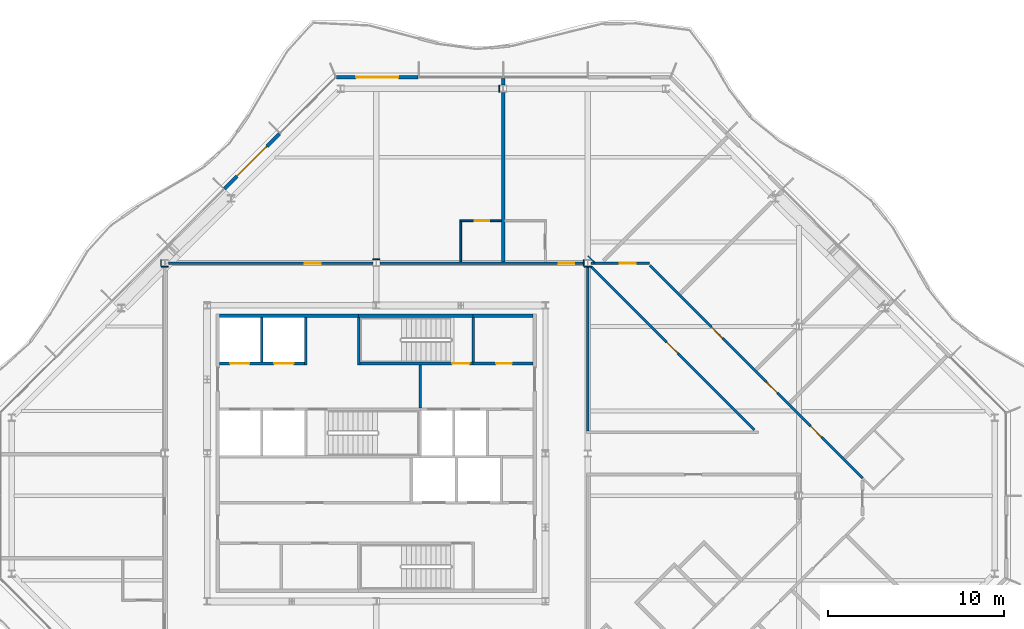
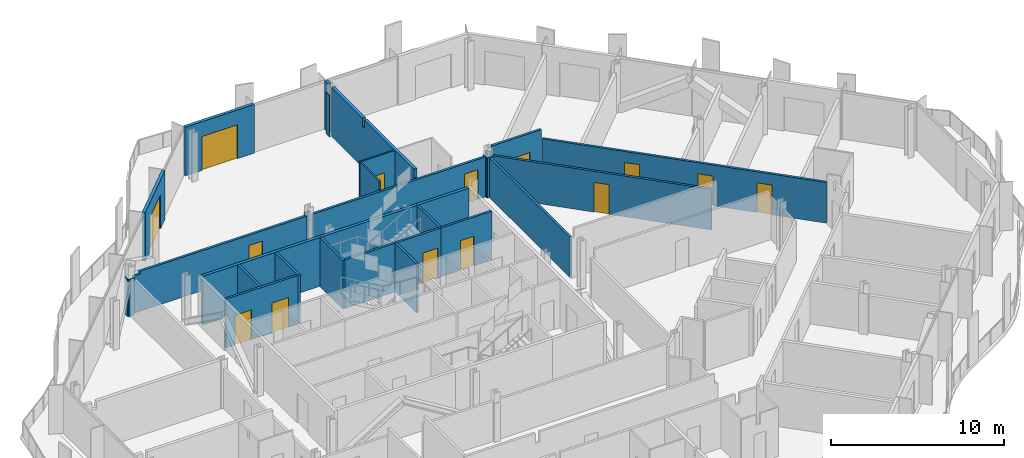
# One storey, part 11 of 17: 30 walls, 14 doors, 14 openings.
"""IFC4 building model written with IfcOpenShell, lengths in metres."""

from ifc_helpers import new_model, si_unit, direction, frame, frame_2d, origin, place, context, subcontext, project, spatial, polyline, rectangle, outline, extrude, material, layer, layer_set, type_object, element, fill, save


model = new_model("IFC4")

# Units and contexts
model_context = context("Model", 3, precision=1e-05, world=origin(), true_north=direction((0.0, 1.0)))
body_context = subcontext(model_context, "Body", "Model", "MODEL_VIEW")
ifc_project = project(units=[si_unit("LENGTHUNIT", "METRE"), si_unit("AREAUNIT", "SQUARE_METRE"), si_unit("VOLUMEUNIT", "CUBIC_METRE"), si_unit("PLANEANGLEUNIT", "RADIAN"), si_unit("MASSUNIT", "GRAM", prefix="KILO")], contexts=[model_context])

# Site, building, storey
site_placement = place(None, origin())
site = spatial("IfcSite", under=ifc_project, at=site_placement, CompositionType="ELEMENT")
building_placement = place(site_placement, origin())
building = spatial("IfcBuilding", under=site, at=building_placement, Name="Cairn Pilgrim Tower", CompositionType="ELEMENT")
storey_placement = place(building_placement, frame((0.0, 0.0, 246.60009765625)))
storey = spatial("IfcBuildingStorey", under=building, at=storey_placement, Name="L63", CompositionType="ELEMENT", Elevation=246.60009765625)

# Wall, opening, door
ifc_material_1 = material(Name="Bronze anodised aluminium insulated sandwich panel with mineral wool fill", Category="aluminium")
ifc_layer_1 = layer(ifc_material_1, 0.199951171875)
ifc_layer_set_1 = layer_set([ifc_layer_1], Name="BRONZE INFILL FRAME WALL 200")
wall_type_1 = type_object("IfcWallType", Name="BRONZE INFILL FRAME WALL 200", PredefinedType="NOTDEFINED", material=ifc_layer_set_1)
wall_1_placement = place(storey_placement, frame((9.570068359375, 23.75, 0.0), z_axis=(0.0, 0.0, 1.0), x_axis=(-1.0, 0.0, 0.0)))
wall_1 = element("IfcWall", 1, at=wall_1_placement, inside=storey, type_object=wall_type_1, Name="Bronze infill frame wall IW-N4", PredefinedType="NOTDEFINED", context=body_context, shape_type="SweptSolid", body=[
    extrude(rectangle(XDim=4.62646484375, YDim=0.199951171875, at=frame_2d((2.313232421875, 0.0))), origin(), (0.0, 0.0, 1.0), 3.449951171875),
])
opening_1_placement = place(wall_1_placement, frame((1.117919921875, 0.0, 0.0)))
opening_1 = element("IfcOpeningElement", 2, at=opening_1_placement, cuts=wall_1, Name="Opening 6312B", PredefinedType="OPENING", context=body_context, shape_type="SweptSolid", body=[
    extrude(rectangle(XDim=2.39990234375, YDim=2.39990234375, at=frame_2d((1.199951171875, 1.199951171875))), frame((0.0, 0.10986328125, 0.0), z_axis=(0.0, -1.0, 0.0), x_axis=(1.0, 0.0, 0.0)), (0.0, 0.0, 1.0), 0.219970703125),
])
ifc_material_2 = material(Name="Bronze anodised aluminium frame with tinted low-E glass", Category="aluminium")
door_type_1 = type_object("IfcDoorType", Name="BALCONY SLIDING DOOR 2400x2400", OperationType="DOUBLE_DOOR_SLIDING", PredefinedType="DOOR", material=ifc_material_2)
door_1_placement = place(opening_1_placement, origin())
door_1 = element("IfcDoor", 3, at=door_1_placement, inside=storey, type_object=door_type_1, Name="Balcony sliding door 6312B", OperationType="SINGLE_SWING_LEFT", OverallHeight=2.39990234375, OverallWidth=2.39990234375, PredefinedType="DOOR", context=body_context, shape_type="SweptSolid", body=[
    extrude(rectangle(XDim=2.39990234375, YDim=2.39990234375, at=frame_2d((1.199951171875, 1.199951171875))), frame((0.0, 0.02490234375, 0.0), z_axis=(0.0, -1.0, 0.0), x_axis=(1.0, 0.0, 0.0)), (0.0, 0.0, 1.0), 0.050048828125),
])
fill(opening_1, door_1)

wall_2_placement = place(storey_placement, frame((1.706787109375, 20.55322265625, 0.0), z_axis=(0.0, 0.0, 1.0), x_axis=(-0.707106781187, -0.707106781187, 0.0)))
wall_2 = element("IfcWall", 4, at=wall_2_placement, inside=storey, type_object=wall_type_1, Name="Bronze infill frame wall IW-NW2", PredefinedType="NOTDEFINED", context=body_context, shape_type="SweptSolid", body=[
    extrude(rectangle(XDim=4.43115234375, YDim=0.199951171875, at=frame_2d((2.215576171875, 0.0))), origin(), (0.0, 0.0, 1.0), 3.449951171875),
])
opening_2_placement = place(wall_2_placement, frame((1.015380859375, 0.0, 0.0)))
opening_2 = element("IfcOpeningElement", 5, at=opening_2_placement, cuts=wall_2, Name="Opening 6312B2", PredefinedType="OPENING", context=body_context, shape_type="SweptSolid", body=[
    extrude(rectangle(XDim=2.39990234375, YDim=2.39990234375, at=frame_2d((1.199951171875, 1.199951171875))), frame((0.0, 0.10986328125, 0.0), z_axis=(0.0, -1.0, 0.0), x_axis=(1.0, 0.0, 0.0)), (0.0, 0.0, 1.0), 0.219970703125),
])
door_2_placement = place(opening_2_placement, origin())
door_2 = element("IfcDoor", 6, at=door_2_placement, inside=storey, type_object=door_type_1, Name="Balcony sliding door 6312B2", OperationType="SINGLE_SWING_LEFT", OverallHeight=2.39990234375, OverallWidth=2.39990234375, PredefinedType="DOOR", context=body_context, shape_type="SweptSolid", body=[
    extrude(rectangle(XDim=2.39990234375, YDim=2.39990234375, at=frame_2d((1.199951171875, 1.199951171875))), frame((0.0, 0.02490234375, 0.0), z_axis=(0.0, -1.0, 0.0), x_axis=(1.0, 0.0, 0.0)), (0.0, 0.0, 1.0), 0.050048828125),
])
fill(opening_2, door_2)

# Walls
ifc_material_3 = material(Name="Concrete C32/40", Category="concrete")
ifc_layer_2 = layer(ifc_material_3, 0.199951171875)
ifc_layer_set_2 = layer_set([ifc_layer_2], Name="CORE OUTER WALL 200 EI 120")
wall_type_2 = type_object("IfcWallType", Name="CORE OUTER WALL 200 EI 120", PredefinedType="SOLIDWALL", material=ifc_layer_set_2)
wall_3_placement = place(storey_placement, frame((-1.699951171875, 10.199951171875, 0.0), z_axis=(0.0, 0.0, 1.0), x_axis=(1.0, 0.0, 0.0)))
element("IfcWall", 7, at=wall_3_placement, inside=storey, type_object=wall_type_2, Name="CW:L63:H12-1", PredefinedType="SOLIDWALL", context=body_context, shape_type="SweptSolid", body=[
    extrude(rectangle(XDim=7.89990234375, YDim=0.199951171875, at=frame_2d((3.949951171875, 0.0))), origin(), (0.0, 0.0, 1.0), 3.449951171875),
])
wall_4_placement = place(storey_placement, frame((12.699951171875, 10.199951171875, 0.0), z_axis=(0.0, 0.0, 1.0), x_axis=(1.0, 0.0, 0.0)))
element("IfcWall", 8, at=wall_4_placement, inside=storey, type_object=wall_type_2, Name="CW:L63:H12-3", PredefinedType="SOLIDWALL", context=body_context, shape_type="SweptSolid", body=[
    extrude(rectangle(XDim=3.400146484375, YDim=0.199951171875, at=frame_2d((1.7001953125, 0.0))), origin(), (0.0, 0.0, 1.0), 3.449951171875),
])

# Wall, openings, doors
ifc_layer_3 = layer(ifc_material_3, 0.14990234375)
ifc_layer_set_3 = layer_set([ifc_layer_3], Name="CORE SHAFT WALL 150 EI 120")
wall_type_3 = type_object("IfcWallType", Name="CORE SHAFT WALL 150 EI 120", PredefinedType="SOLIDWALL", material=ifc_layer_set_3)
wall_5_placement = place(storey_placement, frame((-1.699951171875, 7.5, 0.0), z_axis=(0.0, 0.0, 1.0), x_axis=(1.0, 0.0, 0.0)))
wall_5 = element("IfcWall", 9, at=wall_5_placement, inside=storey, type_object=wall_type_3, Name="CW:L63:H10", PredefinedType="SOLIDWALL", context=body_context, shape_type="SweptSolid", body=[
    extrude(rectangle(XDim=4.824951171875, YDim=0.14990234375, at=frame_2d((2.41259765625, 0.0))), origin(), (0.0, 0.0, 1.0), 3.449951171875),
])
opening_3_placement = place(wall_5_placement, frame((0.60009765625, 0.0, 0.0)))
opening_3 = element("IfcOpeningElement", 10, at=opening_3_placement, cuts=wall_5, Name="Opening LD-HR3", PredefinedType="OPENING", context=body_context, shape_type="SweptSolid", body=[
    extrude(rectangle(XDim=1.10009765625, YDim=2.10009765625, at=frame_2d((0.550048828125, 1.050048828125))), frame((0.0, 0.0849609375, 0.0), z_axis=(0.0, -1.0, 0.0), x_axis=(1.0, 0.0, 0.0)), (0.0, 0.0, 1.0), 0.169921875),
])
opening_4_placement = place(wall_5_placement, frame((3.10009765625, 0.0, 0.0)))
opening_4 = element("IfcOpeningElement", 11, at=opening_4_placement, cuts=wall_5, Name="Opening LD-HR4", PredefinedType="OPENING", context=body_context, shape_type="SweptSolid", body=[
    extrude(rectangle(XDim=1.10009765625, YDim=2.10009765625, at=frame_2d((0.550048828125, 1.050048828125))), frame((0.0, 0.0849609375, 0.0), z_axis=(0.0, -1.0, 0.0), x_axis=(1.0, 0.0, 0.0)), (0.0, 0.0, 1.0), 0.169921875),
])
ifc_material_4 = material(Name="Stainless steel", Category="steel")
door_type_2 = type_object("IfcDoorType", Name="LIFT LANDING DOOR 1100x2100", OperationType="DOUBLE_DOOR_SLIDING", PredefinedType="DOOR", material=ifc_material_4)
door_3_placement = place(opening_3_placement, origin())
door_3 = element("IfcDoor", 12, at=door_3_placement, inside=storey, type_object=door_type_2, Name="LANDING DOOR HR3", OperationType="DOUBLE_DOOR_SLIDING", OverallHeight=2.10009765625, OverallWidth=1.10009765625, PredefinedType="DOOR", context=body_context, shape_type="SweptSolid", body=[
    extrude(rectangle(XDim=1.10009765625, YDim=2.10009765625, at=frame_2d((0.550048828125, 1.050048828125))), frame((0.0, 0.02490234375, 0.0), z_axis=(0.0, -1.0, 0.0), x_axis=(1.0, 0.0, 0.0)), (0.0, 0.0, 1.0), 0.050048828125),
])
fill(opening_3, door_3)
door_4_placement = place(opening_4_placement, origin())
door_4 = element("IfcDoor", 13, at=door_4_placement, inside=storey, type_object=door_type_2, Name="LANDING DOOR HR4", OperationType="DOUBLE_DOOR_SLIDING", OverallHeight=2.10009765625, OverallWidth=1.10009765625, PredefinedType="DOOR", context=body_context, shape_type="SweptSolid", body=[
    extrude(rectangle(XDim=1.10009765625, YDim=2.10009765625, at=frame_2d((0.550048828125, 1.050048828125))), frame((0.0, 0.02490234375, 0.0), z_axis=(0.0, -1.0, 0.0), x_axis=(1.0, 0.0, 0.0)), (0.0, 0.0, 1.0), 0.050048828125),
])
fill(opening_4, door_4)

# Wall, opening, door
wall_6_placement = place(storey_placement, frame((12.699951171875, 7.5, 0.0), z_axis=(0.0, 0.0, 1.0), x_axis=(1.0, 0.0, 0.0)))
wall_6 = element("IfcWall", 14, at=wall_6_placement, inside=storey, type_object=wall_type_3, Name="CW:L63:H11-2", PredefinedType="SOLIDWALL", context=body_context, shape_type="SweptSolid", body=[
    extrude(rectangle(XDim=3.400146484375, YDim=0.14990234375, at=frame_2d((1.7001953125, 0.0))), origin(), (0.0, 0.0, 1.0), 3.449951171875),
])
opening_5_placement = place(wall_6_placement, frame((1.300048828125, 0.0, 0.0)))
opening_5 = element("IfcOpeningElement", 15, at=opening_5_placement, cuts=wall_6, Name="Opening RD-R4E", PredefinedType="OPENING", context=body_context, shape_type="SweptSolid", body=[
    extrude(rectangle(XDim=0.89990234375, YDim=2.10009765625, at=frame_2d((0.449951171875, 1.050048828125))), frame((0.0, 0.0849609375, 0.0), z_axis=(0.0, -1.0, 0.0), x_axis=(1.0, 0.0, 0.0)), (0.0, 0.0, 1.0), 0.169921875),
])
ifc_material_5 = material(Name="Painted steel", Category="steel")
door_type_3 = type_object("IfcDoorType", Name="SERVICE ROOM DOOR 900x2100", OperationType="SINGLE_SWING_LEFT", PredefinedType="DOOR", material=ifc_material_5)
door_5_placement = place(opening_5_placement, origin())
door_5 = element("IfcDoor", 16, at=door_5_placement, inside=storey, type_object=door_type_3, Name="RD-R4E", OperationType="SINGLE_SWING_LEFT", OverallHeight=2.10009765625, OverallWidth=0.89990234375, PredefinedType="DOOR", context=body_context, shape_type="SweptSolid", body=[
    extrude(rectangle(XDim=0.89990234375, YDim=2.10009765625, at=frame_2d((0.449951171875, 1.050048828125))), frame((0.0, 0.02490234375, 0.0), z_axis=(0.0, -1.0, 0.0), x_axis=(1.0, 0.0, 0.0)), (0.0, 0.0, 1.0), 0.050048828125),
])
fill(opening_5, door_5)

# Walls
wall_7_placement = place(storey_placement, frame((0.699951171875, 7.574951171875, 0.0), z_axis=(0.0, 0.0, 1.0), x_axis=(0.0, 1.0, 0.0)))
element("IfcWall", 17, at=wall_7_placement, inside=storey, type_object=wall_type_3, Name="CW:L63:V15", PredefinedType="SOLIDWALL", context=body_context, shape_type="SweptSolid", body=[
    extrude(rectangle(XDim=2.525146484375, YDim=0.14990234375, at=frame_2d((1.2626953125, 0.0))), origin(), (0.0, 0.0, 1.0), 3.449951171875),
])
wall_8_placement = place(storey_placement, frame((3.199951171875, 7.425048828125, 0.0), z_axis=(0.0, 0.0, 1.0), x_axis=(0.0, 1.0, 0.0)))
element("IfcWall", 18, at=wall_8_placement, inside=storey, type_object=wall_type_3, Name="CW:L63:V18", PredefinedType="SOLIDWALL", context=body_context, shape_type="SweptSolid", body=[
    extrude(rectangle(XDim=2.675048828125, YDim=0.14990234375, at=frame_2d((1.33740234375, 0.0))), origin(), (0.0, 0.0, 1.0), 3.449951171875),
])
wall_9_placement = place(storey_placement, frame((9.699951171875, 4.97509765625, 0.0), z_axis=(0.0, 0.0, 1.0), x_axis=(0.0, 1.0, 0.0)))
element("IfcWall", 19, at=wall_9_placement, inside=storey, type_object=wall_type_3, Name="CW:L63:V23", PredefinedType="SOLIDWALL", context=body_context, shape_type="SweptSolid", body=[
    extrude(rectangle(XDim=2.449951171875, YDim=0.14990234375, at=frame_2d((1.22509765625, 0.0))), origin(), (0.0, 0.0, 1.0), 3.449951171875),
])
ifc_material_6 = material(Name="Gypsum partition")
ifc_layer_4 = layer(ifc_material_6, 0.10009765625)
ifc_layer_set_4 = layer_set([ifc_layer_4], Name="PARTITION 100 DRYWALL")
wall_type_4 = type_object("IfcWallType", Name="PARTITION 100 DRYWALL", PredefinedType="PARTITIONING", material=ifc_layer_set_4)
wall_10_placement = place(storey_placement, frame((12.0, 13.27490234375, 0.0), z_axis=(0.0, 0.0, 1.0), x_axis=(0.0, 1.0, 0.0)))
element("IfcWall", 20, at=wall_10_placement, inside=storey, type_object=wall_type_4, Name="PARTITION W073", PredefinedType="PARTITIONING", context=body_context, shape_type="SweptSolid", body=[
    extrude(outline(polyline([(0.0, 0.0), (2.275146484375, 0.0), (2.27490234375, 3.449951171875), (0.074951171875, 3.449951171875), (0.072998046875, 2.829833984375), (0.0, 2.829833984375), (0.0, 0.0)])), frame((0.0, 0.050048828125, 0.0), z_axis=(0.0, -1.0, 0.0), x_axis=(1.0, 0.0, 0.0)), (0.0, 0.0, 1.0), 0.10009765625),
])

# Wall, opening, door
wall_11_placement = place(storey_placement, frame((11.949951171875, 15.60009765625, 0.0), z_axis=(0.0, 0.0, 1.0), x_axis=(1.0, 0.0, 0.0)))
wall_11 = element("IfcWall", 21, at=wall_11_placement, inside=storey, type_object=wall_type_4, Name="PARTITION W077", PredefinedType="PARTITIONING", context=body_context, shape_type="SweptSolid", body=[
    extrude(rectangle(XDim=2.35009765625, YDim=0.10009765625, at=frame_2d((1.175048828125, 0.0))), origin(), (0.0, 0.0, 1.0), 3.449951171875),
])
opening_6_placement = place(wall_11_placement, frame((0.85009765625, 0.0, 0.0)))
opening_6 = element("IfcOpeningElement", 22, at=opening_6_placement, cuts=wall_11, Name="Opening 6312A", PredefinedType="OPENING", context=body_context, shape_type="SweptSolid", body=[
    extrude(rectangle(XDim=0.800048828125, YDim=2.10009765625, at=frame_2d((0.39990234375, 1.050048828125))), frame((0.0, 0.06005859375, 0.0), z_axis=(0.0, -1.0, 0.0), x_axis=(1.0, 0.0, 0.0)), (0.0, 0.0, 1.0), 0.1201171875),
])
ifc_material_7 = material(Name="Timber door leaf", Category="wood")
door_type_4 = type_object("IfcDoorType", Name="WC DOOR 800x2100", OperationType="NOTDEFINED", PredefinedType="DOOR", material=ifc_material_7)
door_6_placement = place(opening_6_placement, origin())
door_6 = element("IfcDoor", 23, at=door_6_placement, inside=storey, type_object=door_type_4, Name="DOOR 6312A", OperationType="SINGLE_SWING_LEFT", OverallHeight=2.10009765625, OverallWidth=0.800048828125, PredefinedType="DOOR", context=body_context, shape_type="SweptSolid", body=[
    extrude(rectangle(XDim=0.800048828125, YDim=2.10009765625, at=frame_2d((0.39990234375, 1.050048828125))), frame((0.0, 0.02490234375, 0.0), z_axis=(0.0, -1.0, 0.0), x_axis=(1.0, 0.0, 0.0)), (0.0, 0.0, 1.0), 0.050048828125),
])
fill(opening_6, door_6)

# Wall, openings, doors
ifc_layer_5 = layer(ifc_material_6, 0.14990234375)
ifc_layer_set_5 = layer_set([ifc_layer_5], Name="PARTITION 150 DRYWALL EI 60")
wall_type_5 = type_object("IfcWallType", Name="PARTITION 150 DRYWALL EI 60", PredefinedType="PARTITIONING", material=ifc_layer_set_5)
wall_12_placement = place(storey_placement, frame((34.800048828125, 0.993896484375, 0.0), z_axis=(0.0, 0.0, 1.0), x_axis=(-0.707099634543, 0.707113927758, 0.0)))
wall_12 = element("IfcWall", 24, at=wall_12_placement, inside=storey, type_object=wall_type_5, Name="PARTITION W056", PredefinedType="PARTITIONING", context=body_context, shape_type="SweptSolid", body=[
    extrude(rectangle(XDim=17.080810546875, YDim=0.14990234375, at=frame_2d((8.54052734375, 0.0))), origin(), (0.0, 0.0, 1.0), 2.8798828125),
])
opening_7_placement = place(wall_12_placement, frame((3.27587890625, 0.0, 0.0)))
opening_7 = element("IfcOpeningElement", 25, at=opening_7_placement, cuts=wall_12, Name="Opening 6307", PredefinedType="OPENING", context=body_context, shape_type="SweptSolid", body=[
    extrude(rectangle(XDim=0.89990234375, YDim=2.10009765625, at=frame_2d((0.449951171875, 1.050048828125))), frame((0.0, 0.0849609375, 0.0), z_axis=(0.0, -1.0, 0.0), x_axis=(1.0, 0.0, 0.0)), (0.0, 0.0, 1.0), 0.169921875),
])
opening_8_placement = place(wall_12_placement, frame((6.828857421875, 0.0, 0.0)))
opening_8 = element("IfcOpeningElement", 26, at=opening_8_placement, cuts=wall_12, Name="Opening 6308", PredefinedType="OPENING", context=body_context, shape_type="SweptSolid", body=[
    extrude(rectangle(XDim=0.89990234375, YDim=2.10009765625, at=frame_2d((0.449951171875, 1.050048828125))), frame((0.0, 0.0849609375, 0.0), z_axis=(0.0, -1.0, 0.0), x_axis=(1.0, 0.0, 0.0)), (0.0, 0.0, 1.0), 0.169921875),
])
opening_9_placement = place(wall_12_placement, frame((11.22998046875, 0.0, 0.0)))
opening_9 = element("IfcOpeningElement", 27, at=opening_9_placement, cuts=wall_12, Name="Opening 6309", PredefinedType="OPENING", context=body_context, shape_type="SweptSolid", body=[
    extrude(rectangle(XDim=0.89990234375, YDim=2.10009765625, at=frame_2d((0.449951171875, 1.050048828125))), frame((0.0, 0.0849609375, 0.0), z_axis=(0.0, -1.0, 0.0), x_axis=(1.0, 0.0, 0.0)), (0.0, 0.0, 1.0), 0.169921875),
])
door_type_5 = type_object("IfcDoorType", Name="ROOM DOOR 900x2100 FD30S", OperationType="NOTDEFINED", PredefinedType="DOOR", material=ifc_material_7)
door_7_placement = place(opening_7_placement, frame((0.89990234375, 0.0, 0.0), z_axis=(0.0, 0.0, 1.0), x_axis=(-1.0, 0.0, 0.0)))
door_7 = element("IfcDoor", 28, at=door_7_placement, inside=storey, type_object=door_type_5, Name="DOOR 6307", OperationType="SINGLE_SWING_RIGHT", OverallHeight=2.10009765625, OverallWidth=0.89990234375, PredefinedType="DOOR", context=body_context, shape_type="SweptSolid", body=[
    extrude(rectangle(XDim=0.89990234375, YDim=2.10009765625, at=frame_2d((0.449951171875, 1.050048828125))), frame((0.0, 0.02490234375, 0.0), z_axis=(0.0, -1.0, 0.0), x_axis=(1.0, 0.0, 0.0)), (0.0, 0.0, 1.0), 0.050048828125),
])
fill(opening_7, door_7)
door_type_6 = type_object("IfcDoorType", Name="SERVICE DOOR 900x2100 FD30S", OperationType="NOTDEFINED", PredefinedType="DOOR", material=ifc_material_7)
door_8_placement = place(opening_8_placement, frame((0.89990234375, 0.0, 0.0), z_axis=(0.0, 0.0, 1.0), x_axis=(-1.0, 0.0, 0.0)))
door_8 = element("IfcDoor", 29, at=door_8_placement, inside=storey, type_object=door_type_6, Name="DOOR 6308", OperationType="SINGLE_SWING_RIGHT", OverallHeight=2.10009765625, OverallWidth=0.89990234375, PredefinedType="DOOR", context=body_context, shape_type="SweptSolid", body=[
    extrude(rectangle(XDim=0.89990234375, YDim=2.10009765625, at=frame_2d((0.449951171875, 1.050048828125))), frame((0.0, 0.02490234375, 0.0), z_axis=(0.0, -1.0, 0.0), x_axis=(1.0, 0.0, 0.0)), (0.0, 0.0, 1.0), 0.050048828125),
])
fill(opening_8, door_8)
door_9_placement = place(opening_9_placement, frame((0.89990234375, 0.0, 0.0), z_axis=(0.0, 0.0, 1.0), x_axis=(-1.0, 0.0, 0.0)))
door_9 = element("IfcDoor", 30, at=door_9_placement, inside=storey, type_object=door_type_6, Name="DOOR 6309", OperationType="SINGLE_SWING_RIGHT", OverallHeight=2.10009765625, OverallWidth=0.89990234375, PredefinedType="DOOR", context=body_context, shape_type="SweptSolid", body=[
    extrude(rectangle(XDim=0.89990234375, YDim=2.10009765625, at=frame_2d((0.449951171875, 1.050048828125))), frame((0.0, 0.02490234375, 0.0), z_axis=(0.0, -1.0, 0.0), x_axis=(1.0, 0.0, 0.0)), (0.0, 0.0, 1.0), 0.050048828125),
])
fill(opening_9, door_9)

# Wall
wall_13_placement = place(storey_placement, frame((19.199951171875, 3.675048828125, 0.0), z_axis=(0.0, 0.0, 1.0), x_axis=(0.0, 1.0, 0.0)))
element("IfcWall", 31, at=wall_13_placement, inside=storey, type_object=wall_type_5, Name="PARTITION W063", PredefinedType="PARTITIONING", context=body_context, shape_type="SweptSolid", body=[
    extrude(rectangle(XDim=9.33740234375, YDim=0.14990234375, at=frame_2d((4.668701171875, 0.0))), origin(), (0.0, 0.0, 1.0), 2.829833984375),
])

# Wall, opening, door
wall_14_placement = place(storey_placement, frame((28.672119140625, 3.72802734375, 0.0), z_axis=(0.0, 0.0, 1.0), x_axis=(-0.707106781187, 0.707106781187, 0.0)))
wall_14 = element("IfcWall", 32, at=wall_14_placement, inside=storey, type_object=wall_type_5, Name="PARTITION W064", PredefinedType="PARTITIONING", context=body_context, shape_type="SweptSolid", body=[
    extrude(rectangle(XDim=13.12353515625, YDim=0.14990234375, at=frame_2d((6.561767578125, 0.0))), origin(), (0.0, 0.0, 1.0), 2.8798828125),
])
opening_10_placement = place(wall_14_placement, frame((6.156982421875, 0.0, 0.0)))
opening_10 = element("IfcOpeningElement", 33, at=opening_10_placement, cuts=wall_14, Name="Opening 6319", PredefinedType="OPENING", context=body_context, shape_type="SweptSolid", body=[
    extrude(rectangle(XDim=0.89990234375, YDim=2.10009765625, at=frame_2d((0.449951171875, 1.050048828125))), frame((0.0, 0.0849609375, 0.0), z_axis=(0.0, -1.0, 0.0), x_axis=(1.0, 0.0, 0.0)), (0.0, 0.0, 1.0), 0.169921875),
])
door_10_placement = place(opening_10_placement, origin())
door_10 = element("IfcDoor", 34, at=door_10_placement, inside=storey, type_object=door_type_6, Name="DOOR 6319", OperationType="SINGLE_SWING_LEFT", OverallHeight=2.10009765625, OverallWidth=0.89990234375, PredefinedType="DOOR", context=body_context, shape_type="SweptSolid", body=[
    extrude(rectangle(XDim=0.89990234375, YDim=2.10009765625, at=frame_2d((0.449951171875, 1.050048828125))), frame((0.0, 0.02490234375, 0.0), z_axis=(0.0, -1.0, 0.0), x_axis=(1.0, 0.0, 0.0)), (0.0, 0.0, 1.0), 0.050048828125),
])
fill(opening_10, door_10)

wall_15_placement = place(storey_placement, frame((-4.60302734375, 13.199951171875, 0.0), z_axis=(0.0, 0.0, 1.0), x_axis=(1.0, 0.0, 0.0)))
wall_15 = element("IfcWall", 35, at=wall_15_placement, inside=storey, type_object=wall_type_5, Name="PARTITION W070", PredefinedType="PARTITIONING", context=body_context, shape_type="SweptSolid", body=[
    extrude(outline(polyline([(0.0, 0.0), (11.60595703125, 0.0), (11.60595703125, 2.829833984375), (0.44580078125, 2.829833984375), (0.44384765625, 2.6298828125), (0.0, 2.6298828125), (0.0, 0.0)])), frame((0.0, 0.074951171875, 0.0), z_axis=(0.0, -1.0, 0.0), x_axis=(1.0, 0.0, 0.0)), (0.0, 0.0, 1.0), 0.14990234375),
])
opening_11_placement = place(wall_15_placement, frame((7.7529296875, 0.0, 0.0)))
opening_11 = element("IfcOpeningElement", 36, at=opening_11_placement, cuts=wall_15, Name="Opening 6312", PredefinedType="OPENING", context=body_context, shape_type="SweptSolid", body=[
    extrude(rectangle(XDim=0.89990234375, YDim=2.10009765625, at=frame_2d((0.449951171875, 1.050048828125))), frame((0.0, 0.0849609375, 0.0), z_axis=(0.0, -1.0, 0.0), x_axis=(1.0, 0.0, 0.0)), (0.0, 0.0, 1.0), 0.169921875),
])
door_11_placement = place(opening_11_placement, origin())
door_11 = element("IfcDoor", 37, at=door_11_placement, inside=storey, type_object=door_type_5, Name="DOOR 6312", OperationType="SINGLE_SWING_LEFT", OverallHeight=2.10009765625, OverallWidth=0.89990234375, PredefinedType="DOOR", context=body_context, shape_type="SweptSolid", body=[
    extrude(rectangle(XDim=0.89990234375, YDim=2.10009765625, at=frame_2d((0.449951171875, 1.050048828125))), frame((0.0, 0.02490234375, 0.0), z_axis=(0.0, -1.0, 0.0), x_axis=(1.0, 0.0, 0.0)), (0.0, 0.0, 1.0), 0.050048828125),
])
fill(opening_11, door_11)

wall_16_placement = place(storey_placement, frame((7.39697265625, 13.199951171875, 0.0), z_axis=(0.0, 0.0, 1.0), x_axis=(1.0, 0.0, 0.0)))
wall_16 = element("IfcWall", 38, at=wall_16_placement, inside=storey, type_object=wall_type_5, Name="PARTITION W071", PredefinedType="PARTITIONING", context=body_context, shape_type="SweptSolid", body=[
    extrude(rectangle(XDim=11.60595703125, YDim=0.14990234375, at=frame_2d((5.802978515625, 0.0))), origin(), (0.0, 0.0, 1.0), 2.829833984375),
])
opening_12_placement = place(wall_16_placement, frame((10.153076171875, 0.0, 0.0)))
opening_12 = element("IfcOpeningElement", 39, at=opening_12_placement, cuts=wall_16, Name="Opening 6311", PredefinedType="OPENING", context=body_context, shape_type="SweptSolid", body=[
    extrude(rectangle(XDim=0.89990234375, YDim=2.10009765625, at=frame_2d((0.449951171875, 1.050048828125))), frame((0.0, 0.0849609375, 0.0), z_axis=(0.0, -1.0, 0.0), x_axis=(1.0, 0.0, 0.0)), (0.0, 0.0, 1.0), 0.169921875),
])
door_12_placement = place(opening_12_placement, origin())
door_12 = element("IfcDoor", 40, at=door_12_placement, inside=storey, type_object=door_type_5, Name="DOOR 6311", OperationType="SINGLE_SWING_LEFT", OverallHeight=2.10009765625, OverallWidth=0.89990234375, PredefinedType="DOOR", context=body_context, shape_type="SweptSolid", body=[
    extrude(rectangle(XDim=0.89990234375, YDim=2.10009765625, at=frame_2d((0.449951171875, 1.050048828125))), frame((0.0, 0.02490234375, 0.0), z_axis=(0.0, -1.0, 0.0), x_axis=(1.0, 0.0, 0.0)), (0.0, 0.0, 1.0), 0.050048828125),
])
fill(opening_12, door_12)

wall_17_placement = place(storey_placement, frame((19.39697265625, 13.199951171875, 0.0), z_axis=(0.0, 0.0, 1.0), x_axis=(1.0, 0.0, 0.0)))
wall_17 = element("IfcWall", 41, at=wall_17_placement, inside=storey, type_object=wall_type_5, Name="PARTITION W072", PredefinedType="PARTITIONING", context=body_context, shape_type="SweptSolid", body=[
    extrude(rectangle(XDim=3.30322265625, YDim=0.14990234375, at=frame_2d((1.651611328125, 0.0))), origin(), (0.0, 0.0, 1.0), 3.449951171875),
])
opening_13_placement = place(wall_17_placement, frame((1.6259765625, 0.0, 0.0)))
opening_13 = element("IfcOpeningElement", 42, at=opening_13_placement, cuts=wall_17, Name="Opening 6310", PredefinedType="OPENING", context=body_context, shape_type="SweptSolid", body=[
    extrude(rectangle(XDim=0.89990234375, YDim=2.10009765625, at=frame_2d((0.449951171875, 1.050048828125))), frame((0.0, 0.0849609375, 0.0), z_axis=(0.0, -1.0, 0.0), x_axis=(1.0, 0.0, 0.0)), (0.0, 0.0, 1.0), 0.169921875),
])
door_13_placement = place(opening_13_placement, origin())
door_13 = element("IfcDoor", 43, at=door_13_placement, inside=storey, type_object=door_type_6, Name="DOOR 6310", OperationType="SINGLE_SWING_LEFT", OverallHeight=2.10009765625, OverallWidth=0.89990234375, PredefinedType="DOOR", context=body_context, shape_type="SweptSolid", body=[
    extrude(rectangle(XDim=0.89990234375, YDim=2.10009765625, at=frame_2d((0.449951171875, 1.050048828125))), frame((0.0, 0.02490234375, 0.0), z_axis=(0.0, -1.0, 0.0), x_axis=(1.0, 0.0, 0.0)), (0.0, 0.0, 1.0), 0.050048828125),
])
fill(opening_13, door_13)

# Walls
ifc_layer_6 = layer(ifc_material_6, 0.050048828125)
ifc_layer_set_6 = layer_set([ifc_layer_6], Name="PARTITION 50 DRYWALL EI 60")
wall_type_6 = type_object("IfcWallType", Name="PARTITION 50 DRYWALL EI 60", PredefinedType="PARTITIONING", material=ifc_layer_set_6)
wall_18_placement = place(storey_placement, frame((-5.02197265625, 13.012451171875, 0.0), z_axis=(0.0, 0.0, 1.0), x_axis=(0.0, 1.0, 0.0)))
element("IfcWall", 44, at=wall_18_placement, inside=storey, type_object=wall_type_6, Name="COLUMN CASING WC08", PredefinedType="PARTITIONING", context=body_context, shape_type="SweptSolid", body=[
    extrude(rectangle(XDim=0.375, YDim=0.050048828125, at=frame_2d((0.1875, 0.0))), origin(), (0.0, 0.0, 1.0), 2.6298828125),
])
wall_19_placement = place(storey_placement, frame((18.97802734375, 13.012451171875, 0.0), z_axis=(0.0, 0.0, 1.0), x_axis=(0.0, 1.0, 0.0)))
element("IfcWall", 45, at=wall_19_placement, inside=storey, type_object=wall_type_6, Name="COLUMN CASING WC15", PredefinedType="PARTITIONING", context=body_context, shape_type="SweptSolid", body=[
    extrude(rectangle(XDim=0.375, YDim=0.050048828125, at=frame_2d((0.1875, 0.0))), origin(), (0.0, 0.0, 1.0), 2.829833984375),
])
wall_20_placement = place(storey_placement, frame((19.602294921875, 13.2177734375, 0.0), z_axis=(0.0, 0.0, 1.0), x_axis=(-0.707106781187, 0.707106781187, 0.0)))
element("IfcWall", 46, at=wall_20_placement, inside=storey, type_object=wall_type_6, Name="COLUMN CASING WC16", PredefinedType="PARTITIONING", context=body_context, shape_type="SweptSolid", body=[
    extrude(rectangle(XDim=0.543701171875, YDim=0.050048828125, at=frame_2d((0.27197265625, 0.0))), origin(), (0.0, 0.0, 1.0), 2.929931640625),
])
wall_21_placement = place(storey_placement, frame((-4.9970703125, 12.987548828125, 0.0), z_axis=(0.0, 0.0, 1.0), x_axis=(1.0, 0.0, 0.0)))
element("IfcWall", 47, at=wall_21_placement, inside=storey, type_object=wall_type_6, Name="COLUMN CASING WC20", PredefinedType="PARTITIONING", context=body_context, shape_type="SweptSolid", body=[
    extrude(rectangle(XDim=0.39404296875, YDim=0.050048828125, at=frame_2d((0.197021484375, 0.0))), origin(), (0.0, 0.0, 1.0), 2.6298828125),
])
wall_22_placement = place(storey_placement, frame((7.0029296875, 13.41259765625, 0.0), z_axis=(0.0, 0.0, 1.0), x_axis=(1.0, 0.0, 0.0)))
element("IfcWall", 48, at=wall_22_placement, inside=storey, type_object=wall_type_6, Name="COLUMN CASING WC21", PredefinedType="PARTITIONING", context=body_context, shape_type="SweptSolid", body=[
    extrude(rectangle(XDim=0.39404296875, YDim=0.050048828125, at=frame_2d((0.197021484375, 0.0))), origin(), (0.0, 0.0, 1.0), 2.929931640625),
])
wall_23_placement = place(storey_placement, frame((19.0029296875, 12.987548828125, 0.0), z_axis=(0.0, 0.0, 1.0), x_axis=(1.0, 0.0, 0.0)))
element("IfcWall", 49, at=wall_23_placement, inside=storey, type_object=wall_type_6, Name="COLUMN CASING WC22", PredefinedType="PARTITIONING", context=body_context, shape_type="SweptSolid", body=[
    extrude(rectangle(XDim=0.39404296875, YDim=0.050048828125, at=frame_2d((0.197021484375, 0.0))), origin(), (0.0, 0.0, 1.0), 2.829833984375),
])
wall_24_placement = place(storey_placement, frame((14.173095703125, 22.896484375, 0.0), z_axis=(0.0, 0.0, 1.0), x_axis=(0.0, 1.0, 0.0)))
element("IfcWall", 50, at=wall_24_placement, inside=storey, type_object=wall_type_6, Name="COLUMN CASING WC23", PredefinedType="PARTITIONING", context=body_context, shape_type="SweptSolid", body=[
    extrude(rectangle(XDim=0.406982421875, YDim=0.050048828125, at=frame_2d((0.20361328125, 0.0))), origin(), (0.0, 0.0, 1.0), 2.929931640625),
])
ifc_layer_7 = layer(ifc_material_6, 0.199951171875)
ifc_layer_set_7 = layer_set([ifc_layer_7], Name="SHAFT WALL 200 GYPSUM EI 60")
wall_type_7 = type_object("IfcWallType", Name="SHAFT WALL 200 GYPSUM EI 60", PredefinedType="PARTITIONING", material=ifc_layer_set_7)
wall_25_placement = place(storey_placement, frame((14.39990234375, 13.27490234375, 0.0), z_axis=(0.0, 0.0, 1.0), x_axis=(0.0, 1.0, 0.0)))
element("IfcWall", 51, at=wall_25_placement, inside=storey, type_object=wall_type_7, Name="PARTITION W074", PredefinedType="PARTITIONING", context=body_context, shape_type="SweptSolid", body=[
    extrude(outline(polyline([(0.0, 0.0), (9.62158203125, 0.0), (9.62158203125, 3.449951171875), (6.030029296875, 3.449951171875), (6.028076171875, 2.8798828125), (5.820068359375, 2.8798828125), (5.818115234375, 3.449951171875), (0.074951171875, 3.449951171875), (0.072998046875, 2.829833984375), (0.0, 2.829833984375), (0.0, 0.0)])), frame((0.0, 0.10009765625, 0.0), z_axis=(0.0, -1.0, 0.0), x_axis=(1.0, 0.0, 0.0)), (0.0, 0.0, 1.0), 0.199951171875),
])
wall_26_placement = place(storey_placement, frame((14.39990234375, 23.303466796875, 0.0), z_axis=(0.0, 0.0, 1.0), x_axis=(0.0, 1.0, 0.0)))
element("IfcWall", 52, at=wall_26_placement, inside=storey, type_object=wall_type_7, Name="PARTITION W080", PredefinedType="PARTITIONING", context=body_context, shape_type="SweptSolid", body=[
    extrude(rectangle(XDim=0.386474609375, YDim=0.199951171875, at=frame_2d((0.193359375, 0.0))), origin(), (0.0, 0.0, 1.0), 3.449951171875),
])

# Wall, opening, door
ifc_material_8 = material(Name="Concrete C35/45", Category="concrete")
ifc_layer_8 = layer(ifc_material_8, 0.14990234375)
ifc_layer_set_8 = layer_set([ifc_layer_8], Name="STAIR SHAFT WALL 150 EI 120")
wall_type_8 = type_object("IfcWallType", Name="STAIR SHAFT WALL 150 EI 120", PredefinedType="SOLIDWALL", material=ifc_layer_set_8)
wall_27_placement = place(storey_placement, frame((6.27490234375, 7.5, 0.0), z_axis=(0.0, 0.0, 1.0), x_axis=(1.0, 0.0, 0.0)))
wall_27 = element("IfcWall", 53, at=wall_27_placement, inside=storey, type_object=wall_type_8, Name="CW:L63:H11-1", PredefinedType="SOLIDWALL", context=body_context, shape_type="SweptSolid", body=[
    extrude(rectangle(XDim=6.425048828125, YDim=0.14990234375, at=frame_2d((3.21240234375, 0.0))), origin(), (0.0, 0.0, 1.0), 3.449951171875),
])
opening_14_placement = place(wall_27_placement, frame((5.22509765625, 0.0, 0.0)))
opening_14 = element("IfcOpeningElement", 54, at=opening_14_placement, cuts=wall_27, Name="Opening SD-C", PredefinedType="OPENING", context=body_context, shape_type="SweptSolid", body=[
    extrude(rectangle(XDim=1.0, YDim=2.10009765625, at=frame_2d((0.5, 1.050048828125))), frame((0.0, 0.0849609375, 0.0), z_axis=(0.0, -1.0, 0.0), x_axis=(1.0, 0.0, 0.0)), (0.0, 0.0, 1.0), 0.169921875),
])
door_type_7 = type_object("IfcDoorType", Name="STAIR DOOR FD60S 1000x2100", OperationType="SINGLE_SWING_LEFT", PredefinedType="DOOR", material=ifc_material_5)
door_14_placement = place(opening_14_placement, origin())
door_14 = element("IfcDoor", 55, at=door_14_placement, inside=storey, type_object=door_type_7, Name="SD-C", OperationType="SINGLE_SWING_RIGHT", OverallHeight=2.10009765625, OverallWidth=1.0, PredefinedType="DOOR", context=body_context, shape_type="SweptSolid", body=[
    extrude(rectangle(XDim=1.0, YDim=2.10009765625, at=frame_2d((0.5, 1.050048828125))), frame((0.0, 0.02490234375, 0.0), z_axis=(0.0, -1.0, 0.0), x_axis=(1.0, 0.0, 0.0)), (0.0, 0.0, 1.0), 0.050048828125),
])
fill(opening_14, door_14)

# Walls
wall_28_placement = place(storey_placement, frame((6.199951171875, 7.425048828125, 0.0), z_axis=(0.0, 0.0, 1.0), x_axis=(0.0, 1.0, 0.0)))
element("IfcWall", 56, at=wall_28_placement, inside=storey, type_object=wall_type_8, Name="CW:L63:V20", PredefinedType="SOLIDWALL", context=body_context, shape_type="SweptSolid", body=[
    extrude(rectangle(XDim=2.675048828125, YDim=0.14990234375, at=frame_2d((1.33740234375, 0.0))), origin(), (0.0, 0.0, 1.0), 3.449951171875),
])
wall_29_placement = place(storey_placement, frame((12.699951171875, 7.574951171875, 0.0), z_axis=(0.0, 0.0, 1.0), x_axis=(0.0, 1.0, 0.0)))
element("IfcWall", 57, at=wall_29_placement, inside=storey, type_object=wall_type_8, Name="CW:L63:V27", PredefinedType="SOLIDWALL", context=body_context, shape_type="SweptSolid", body=[
    extrude(rectangle(XDim=2.525146484375, YDim=0.14990234375, at=frame_2d((1.2626953125, 0.0))), origin(), (0.0, 0.0, 1.0), 3.449951171875),
])
ifc_layer_9 = layer(ifc_material_8, 0.199951171875)
ifc_layer_set_9 = layer_set([ifc_layer_9], Name="STAIR SHAFT WALL 200 EI 120")
wall_type_9 = type_object("IfcWallType", Name="STAIR SHAFT WALL 200 EI 120", PredefinedType="SOLIDWALL", material=ifc_layer_set_9)
wall_30_placement = place(storey_placement, frame((6.199951171875, 10.199951171875, 0.0), z_axis=(0.0, 0.0, 1.0), x_axis=(1.0, 0.0, 0.0)))
element("IfcWall", 58, at=wall_30_placement, inside=storey, type_object=wall_type_9, Name="CW:L63:H12-2", PredefinedType="SOLIDWALL", context=body_context, shape_type="SweptSolid", body=[
    extrude(rectangle(XDim=6.5, YDim=0.199951171875, at=frame_2d((3.25, 0.0))), origin(), (0.0, 0.0, 1.0), 3.449951171875),
])

save(model, "model.ifc")
